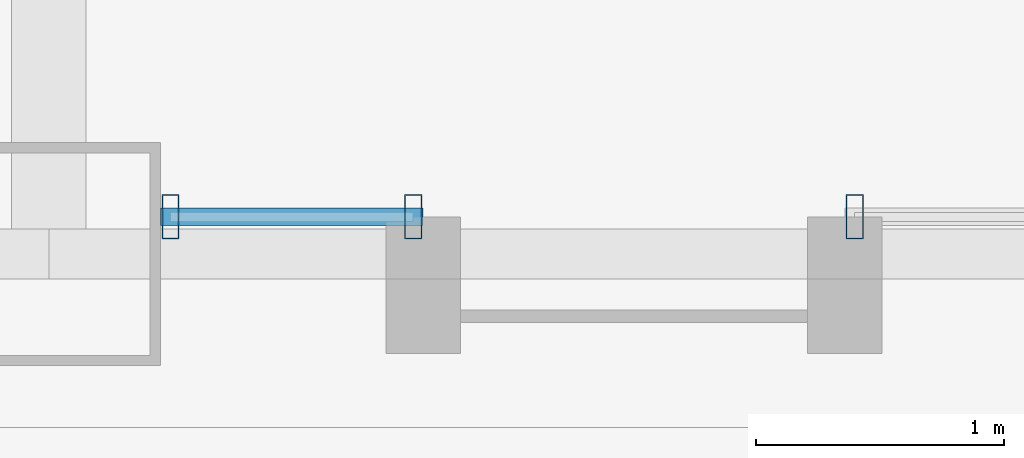
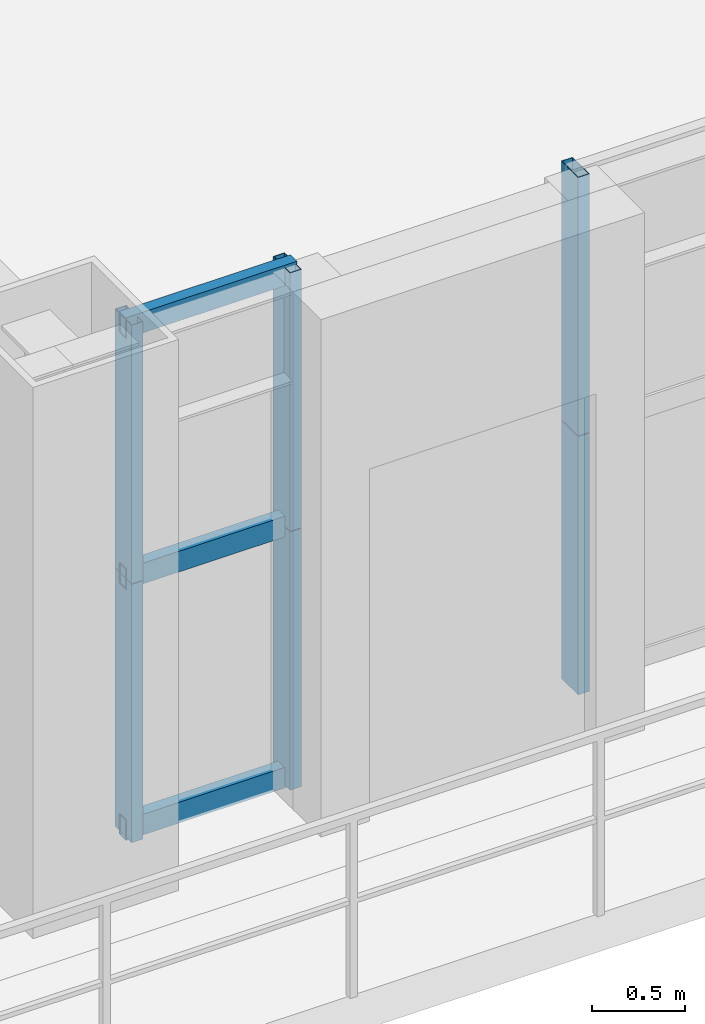
# One storey, part 10 of 41: 9 members, 2 elements without a shape of their own.
"""IFC4 building model written with IfcOpenShell, lengths in metres."""

from ifc_helpers import new_model, si_unit, direction, frame, origin, origin_2d, place, context, subcontext, project, spatial, hollow_rectangle, extrude, source, transform, mapped, material, layer, layer_set, material_profile, profile_set, type_object, element, aggregate, save


model = new_model("IFC4")

# Units and contexts
model_context = context("Model", 3, precision=1e-05, world=origin(), true_north=direction((0.0, 1.0)))
body_context = subcontext(model_context, "Body", "Model", "MODEL_VIEW")
ifc_project = project(units=[si_unit("LENGTHUNIT", "METRE"), si_unit("AREAUNIT", "SQUARE_METRE"), si_unit("VOLUMEUNIT", "CUBIC_METRE"), si_unit("PLANEANGLEUNIT", "RADIAN"), si_unit("MASSUNIT", "GRAM", prefix="KILO"), si_unit("THERMODYNAMICTEMPERATUREUNIT", "KELVIN"), si_unit("POWERUNIT", "WATT")], contexts=[model_context])

# Site, building, storey
site_placement = place(None, origin())
site = spatial("IfcSite", under=ifc_project, at=site_placement, CompositionType="ELEMENT")
building_placement = place(site_placement, origin())
building = spatial("IfcBuilding", under=site, at=building_placement, Name="Yuzanri Waterfront Tower", CompositionType="ELEMENT")
storey_placement = place(building_placement, frame((0.0, 0.0, 115.39990234375)))
storey = spatial("IfcBuildingStorey", under=building, at=storey_placement, Name="L30", CompositionType="ELEMENT", Elevation=115.39990234375)

# Curtain wall, members
ifc_material_1 = material(Name="Anodized Architectural Bronze", Category="metal")
ifc_layer = layer(ifc_material_1, 0.159912109375)
ifc_layer_set = layer_set([ifc_layer], Name="Anodized Architectural Bronze")
curtain_wall_type = type_object("IfcCurtainWallType", Name="Anodized Bronze Hotel Upper-Tier Solar-Control Unitized Curtain Wall 7800", PredefinedType="NOTDEFINED", material=ifc_layer_set)
curtain_wall_1_placement = place(storey_placement, origin())
curtain_wall_1 = element("IfcCurtainWall", 1, at=curtain_wall_1_placement, inside=storey, type_object=curtain_wall_type, Name="L30 Curtain Wall CW-L30-SR1", PredefinedType="NOTDEFINED")
ifc_material_2 = material(Name="Anodized Architectural Bronze", Category="metal")
ifc_material_profile_1 = material_profile(ifc_material_2, hollow_rectangle(XDim=0.070068359375, YDim=0.179931640625, WallThickness=0.00390625, at=origin_2d()), Name="CWM 70x180")
ifc_profile_set_1 = profile_set([ifc_material_profile_1], Name="Anodized Architectural Bronze")
member_type_1 = type_object("IfcMemberType", Name="Anodized Bronze Standard Curtain-Wall Mullion 70x180", PredefinedType="MULLION", material=ifc_profile_set_1)
shared_shape_1 = source(origin(), body_context, "Body", "SweptSolid", [
    extrude(hollow_rectangle(XDim=0.070068359375, YDim=0.179931640625, WallThickness=0.00390625, at=origin_2d()), origin(), (0.0, 0.0, 1.0), 1.68798828125),
])
member_1_placement = place(storey_placement, frame((37.489990234375, 2.35009765625, 0.0), z_axis=(0.0, 0.0, 1.0), x_axis=(1.0, 0.0, 0.0)))
member_1 = element("IfcMember", 2, at=member_1_placement, type_object=member_type_1, Name="CW-L30-SR1 Lower Mullion 00", PredefinedType="MULLION", context=body_context, shape_type="MappedRepresentation", body=[
    mapped(shared_shape_1, transform((0.0, 0.0, 0.0), scale=1.0)),
])
member_2_placement = place(storey_placement, frame((37.489990234375, 2.35009765625, 1.692138671875), z_axis=(0.0, 0.0, 1.0), x_axis=(1.0, 0.0, 0.0)))
member_2 = element("IfcMember", 3, at=member_2_placement, type_object=member_type_1, Name="CW-L30-SR1 Upper Mullion 00", PredefinedType="MULLION", context=body_context, shape_type="MappedRepresentation", body=[
    mapped(shared_shape_1, transform((0.0, 0.0, 0.0), scale=1.0)),
])
member_3_placement = place(storey_placement, frame((38.468017578125, 2.35009765625, 0.0), z_axis=(0.0, 0.0, 1.0), x_axis=(1.0, 0.0, 0.0)))
member_3 = element("IfcMember", 4, at=member_3_placement, type_object=member_type_1, Name="CW-L30-SR1 Lower Mullion 01", PredefinedType="MULLION", context=body_context, shape_type="MappedRepresentation", body=[
    mapped(shared_shape_1, transform((0.0, 0.0, 0.0), scale=1.0)),
])
member_4_placement = place(storey_placement, frame((38.468017578125, 2.35009765625, 1.692138671875), z_axis=(0.0, 0.0, 1.0), x_axis=(1.0, 0.0, 0.0)))
member_4 = element("IfcMember", 5, at=member_4_placement, type_object=member_type_1, Name="CW-L30-SR1 Upper Mullion 01", PredefinedType="MULLION", context=body_context, shape_type="MappedRepresentation", body=[
    mapped(shared_shape_1, transform((0.0, 0.0, 0.0), scale=1.0)),
])

curtain_wall_2_placement = place(storey_placement, origin())
curtain_wall_2 = element("IfcCurtainWall", 6, at=curtain_wall_2_placement, inside=storey, type_object=curtain_wall_type, Name="L30 Curtain Wall CW-L30-SR2", PredefinedType="NOTDEFINED")
member_5_placement = place(storey_placement, frame((40.248046875, 2.35009765625, 0.0), z_axis=(0.0, 0.0, 1.0), x_axis=(1.0, 0.0, 0.0)))
member_5 = element("IfcMember", 7, at=member_5_placement, type_object=member_type_1, Name="CW-L30-SR2 Lower Mullion 00", PredefinedType="MULLION", context=body_context, shape_type="MappedRepresentation", body=[
    mapped(shared_shape_1, transform((0.0, 0.0, 0.0), scale=1.0)),
])
member_6_placement = place(storey_placement, frame((40.248046875, 2.35009765625, 1.692138671875), z_axis=(0.0, 0.0, 1.0), x_axis=(1.0, 0.0, 0.0)))
member_6 = element("IfcMember", 8, at=member_6_placement, type_object=member_type_1, Name="CW-L30-SR2 Upper Mullion 00", PredefinedType="MULLION", context=body_context, shape_type="MappedRepresentation", body=[
    mapped(shared_shape_1, transform((0.0, 0.0, 0.0), scale=1.0)),
])
aggregate(curtain_wall_2, [member_5, member_6])

# Member
ifc_material_3 = material(Name="Anodized Architectural Bronze", Category="metal")
ifc_material_profile_2 = material_profile(ifc_material_3, hollow_rectangle(XDim=0.070068359375, YDim=0.135009765625, WallThickness=0.00341796875, at=origin_2d()), Name="CWT 70x135")
ifc_profile_set_2 = profile_set([ifc_material_profile_2], Name="Anodized Architectural Bronze")
member_type_2 = type_object("IfcMemberType", Name="Anodized Bronze Standard Curtain-Wall Transom 70x135", PredefinedType="USERDEFINED", material=ifc_profile_set_2)
shared_shape_2 = source(origin(), body_context, "Body", "SweptSolid", [
    extrude(hollow_rectangle(XDim=0.070068359375, YDim=0.135009765625, WallThickness=0.00341796875, at=origin_2d()), origin(), (0.0, 0.0, 1.0), 1.05810546875),
])
member_7_placement = place(storey_placement, frame((37.449951171875, 2.35009765625, 0.050048828125), z_axis=(1.0, 0.0, 0.0), x_axis=(0.0, 1.0, 0.0)))
member_7 = element("IfcMember", 9, at=member_7_placement, type_object=member_type_2, Name="CW-L30-SR1 Transom 1", ObjectType="TRANSOM", PredefinedType="USERDEFINED", context=body_context, shape_type="MappedRepresentation", body=[
    mapped(shared_shape_2, transform((0.0, 0.0, 0.0), scale=1.0)),
])

member_8_placement = place(storey_placement, frame((37.449951171875, 2.35009765625, 1.690185546875), z_axis=(1.0, 0.0, 0.0), x_axis=(0.0, 1.0, 0.0)))
member_8 = element("IfcMember", 10, at=member_8_placement, type_object=member_type_2, Name="CW-L30-SR1 Transom 2", ObjectType="TRANSOM", PredefinedType="USERDEFINED", context=body_context, shape_type="MappedRepresentation", body=[
    mapped(shared_shape_2, transform((0.0, 0.0, 0.0), scale=1.0)),
])

member_9_placement = place(storey_placement, frame((37.449951171875, 2.35009765625, 3.330078125), z_axis=(1.0, 0.0, 0.0), x_axis=(0.0, 1.0, 0.0)))
member_9 = element("IfcMember", 11, at=member_9_placement, type_object=member_type_2, Name="CW-L30-SR1 Transom 3", ObjectType="TRANSOM", PredefinedType="USERDEFINED", context=body_context, shape_type="MappedRepresentation", body=[
    mapped(shared_shape_2, transform((0.0, 0.0, 0.0), scale=1.0)),
])

aggregate(curtain_wall_1, [member_1, member_2, member_3, member_4, member_7, member_8, member_9])

save(model, "model.ifc")
